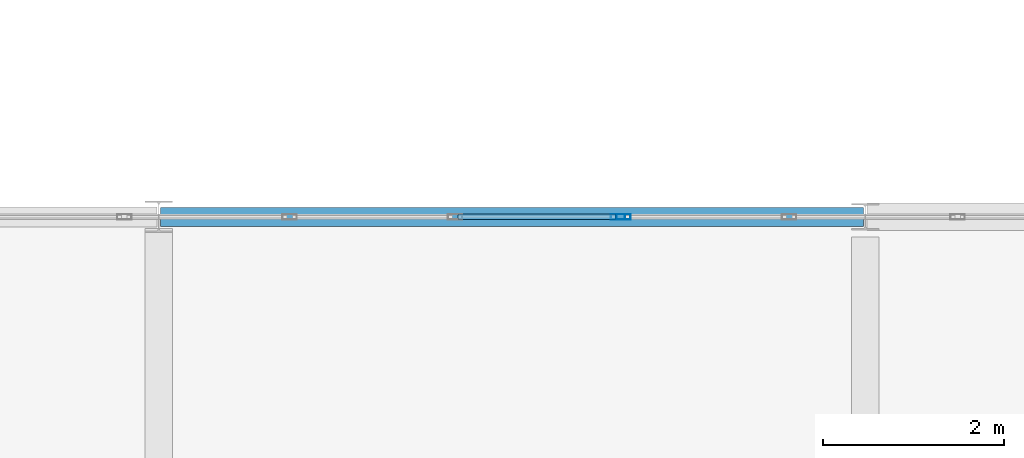
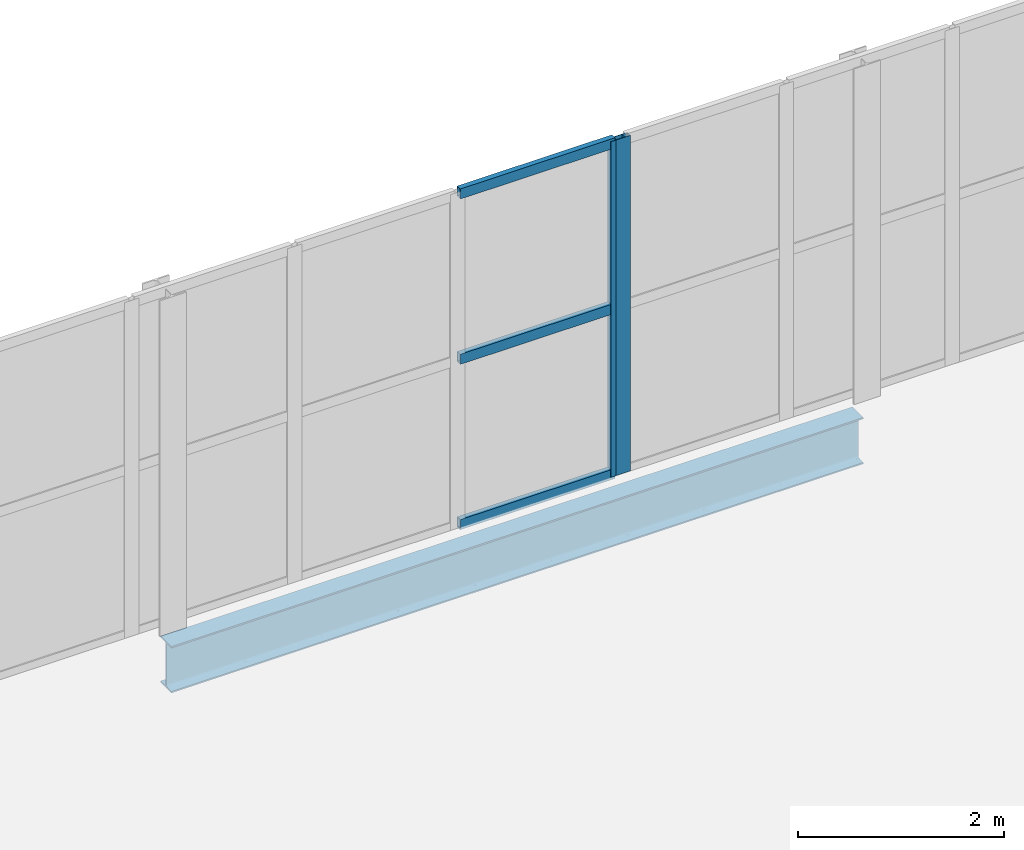
# One storey, part 56 of 138: 5 members, 1 beam, 2 elements without a shape of their own.
"""IFC4 building model written with IfcOpenShell, lengths in metres."""

import ifcopenshell
import ifcopenshell.guid

model = None  # the IFC model being written
_history = None  # IfcOwnerHistory: only IFC2X3 demands one
_inside = {}  # id of a spatial element -> (the spatial element, [elements in it])
_under = {}  # id of a project, library or spatial element -> (it, [spatial elements below it])
_declared = {}  # id of a project -> (the project, [libraries it declares])
_typed = {}  # id of a type object -> (the type object, [elements of that type])
_made_of = {}  # id of a material, layer set ... -> (it, [elements and type objects made of it])


def new_model(schema):
    """Start an empty IFC model of exactly this schema.

    Asked for "IFC4X3", IfcOpenShell would pick the latest addendum, in which some entities
    have other attributes; the version numbers below select the first issue.
    IFC2X3 requires an IfcOwnerHistory on every rooted entity: one is made here for all.
    """
    global model, _history
    if schema == "IFC4X3":
        model = ifcopenshell.file(schema_version=(4, 3, 0, 0))
    else:
        model = ifcopenshell.file(schema=schema)
    _inside.clear()
    _under.clear()
    _declared.clear()
    _typed.clear()
    _made_of.clear()
    _history = None
    if model.schema == "IFC2X3":
        org = make("IfcOrganization", Name="unknown")
        user = make(
            "IfcPersonAndOrganization",
            ThePerson=make("IfcPerson", FamilyName="unknown"),
            TheOrganization=org,
        )
        app = make(
            "IfcApplication",
            ApplicationDeveloper=org,
            Version="unknown",
            ApplicationFullName="unknown",
            ApplicationIdentifier="unknown",
        )
        _history = make(
            "IfcOwnerHistory",
            OwningUser=user,
            OwningApplication=app,
            ChangeAction="ADDED",
            CreationDate=0,
        )
    return model


def make(cls, **values):
    """One entity of the class cls with the attributes given. An attribute that is None is left unset."""
    return model.create_entity(
        cls, **{name: value for name, value in values.items() if value is not None}
    )


def rooted(cls, **values):
    """An entity with a GlobalId (a new one), such as an element, a storey or a relation."""
    return make(cls, GlobalId=ifcopenshell.guid.new(), OwnerHistory=_history, **values)


def si_unit(unit_type, name, prefix=None):
    """IfcSIUnit, for example si_unit("LENGTHUNIT", "METRE", prefix="MILLI")."""
    return make("IfcSIUnit", UnitType=unit_type, Prefix=prefix, Name=name)


def assignment(units):
    """IfcUnitAssignment: the units of a project."""
    return None if units is None else make("IfcUnitAssignment", Units=units)


def point(xyz):
    """IfcCartesianPoint."""
    return None if xyz is None else make("IfcCartesianPoint", Coordinates=xyz)


def direction(xyz):
    """IfcDirection."""
    return None if xyz is None else make("IfcDirection", DirectionRatios=xyz)


def frame(location, z_axis=None, x_axis=None):
    """IfcAxis2Placement3D, a coordinate frame: its origin and axes. An axis left out is left unset."""
    return make(
        "IfcAxis2Placement3D",
        Location=point(location),
        Axis=direction(z_axis),
        RefDirection=direction(x_axis),
    )


def frame_2d(location, x_axis=None):
    """IfcAxis2Placement2D, a coordinate frame in the plane: its origin and x axis."""
    return make(
        "IfcAxis2Placement2D", Location=point(location), RefDirection=direction(x_axis)
    )


def origin():
    """The frame at (0, 0, 0) with its axes left unset."""
    return frame((0.0, 0.0, 0.0))


def origin_2d():
    """The frame at (0, 0) in the plane with its x axis left unset."""
    return frame_2d((0.0, 0.0))


def place(relative_to, where):
    """IfcLocalPlacement: puts the frame where relative to a parent placement (None: the world)."""
    return make(
        "IfcLocalPlacement", PlacementRelTo=relative_to, RelativePlacement=where
    )


def context(
    kind, dimensions, precision=None, world=None, true_north=None, identifier=None
):
    """IfcGeometricRepresentationContext, for example the 3D "Model" context."""
    return make(
        "IfcGeometricRepresentationContext",
        ContextIdentifier=identifier,
        ContextType=kind,
        CoordinateSpaceDimension=dimensions,
        Precision=precision,
        WorldCoordinateSystem=world,
        TrueNorth=true_north,
    )


def subcontext(parent, identifier, kind, view, scale=None):
    """IfcGeometricRepresentationSubContext, for example "Body" below "Model"."""
    return make(
        "IfcGeometricRepresentationSubContext",
        ContextIdentifier=identifier,
        ContextType=kind,
        ParentContext=parent,
        TargetScale=scale,
        TargetView=view,
    )


def project(units=None, contexts=None):
    """IfcProject with its units and contexts."""
    return rooted(
        "IfcProject",
        Name="project",
        RepresentationContexts=contexts,
        UnitsInContext=assignment(units),
    )


def spatial(cls, under=None, at=None, **own):
    """A site, building, storey or space (cls), placed at a placement, below another one or the project."""
    s = rooted(cls, ObjectPlacement=at, **own)
    if under is not None:
        _under.setdefault(under.id(), (under, []))[1].append(s)
    return s


def profile(cls, at=None, kind="AREA", **sizes):
    """A parametric profile (cls). Its sizes go by their IFC names, for example OverallWidth=200.0."""
    return make(cls, ProfileType=kind, Position=at, **sizes)


def hollow_rectangle(**sizes):
    """IfcRectangleHollowProfileDef."""
    return profile("IfcRectangleHollowProfileDef", **sizes)


def i_section(**sizes):
    """IfcIShapeProfileDef."""
    return profile("IfcIShapeProfileDef", **sizes)


def extrude(swept, where, along, depth):
    """IfcExtrudedAreaSolid: the profile swept, set in the frame where, extruded along a direction by depth."""
    return make(
        "IfcExtrudedAreaSolid",
        SweptArea=swept,
        Position=where,
        ExtrudedDirection=direction(along),
        Depth=depth,
    )


def shape(context_of_items, identifier, shape_type, items):
    """IfcShapeRepresentation: the items that make up one representation, for example the "Body"."""
    return make(
        "IfcShapeRepresentation",
        ContextOfItems=context_of_items,
        RepresentationIdentifier=identifier,
        RepresentationType=shape_type,
        Items=items,
    )


def material(Name=None, Category=None):
    """IfcMaterial."""
    return make("IfcMaterial", Name=Name, Category=Category)


def layer(
    of_material, thickness, ventilated=None, Name=None, Category=None, Priority=None
):
    """IfcMaterialLayer: one layer of a wall or slab, of a material (None: an air gap)."""
    return make(
        "IfcMaterialLayer",
        Material=of_material,
        LayerThickness=thickness,
        IsVentilated=ventilated,
        Name=Name,
        Category=Category,
        Priority=Priority,
    )


def layer_set(layers, Name=None):
    """IfcMaterialLayerSet."""
    return make("IfcMaterialLayerSet", MaterialLayers=layers, LayerSetName=Name)


def material_profile(
    of_material, cross_section, Name=None, Category=None, Priority=None
):
    """IfcMaterialProfile: a cross section and its material."""
    return make(
        "IfcMaterialProfile",
        Name=Name,
        Material=of_material,
        Profile=cross_section,
        Priority=Priority,
        Category=Category,
    )


def profile_set(profiles, Name=None, composite=None):
    """IfcMaterialProfileSet."""
    return make(
        "IfcMaterialProfileSet",
        Name=Name,
        MaterialProfiles=profiles,
        CompositeProfile=composite,
    )


def made_of(thing, what):
    """Note that an element or type object is made of a material, layer set ...; save() writes the relation."""
    if what is not None:
        _made_of.setdefault(what.id(), (what, []))[1].append(thing)
    return thing


def type_object(cls, material=None, **own):
    """A type object (cls), such as IfcWallType, which elements share."""
    return made_of(rooted(cls, **own), material)


def element(
    cls,
    number,
    at=None,
    inside=None,
    cuts=None,
    type_object=None,
    material=None,
    context=None,
    identifier="Body",
    shape_type=None,
    held_by="IfcProductDefinitionShape",
    body=None,
    shapes=None,
    **own,
):
    """One element of the class cls, such as IfcWall. Its Tag is "e" and its number.

    at: its placement. inside: the storey or other place that contains it. cuts: it is an
    opening in that element (IfcRelVoidsElement). A single representation is given by context,
    identifier, shape_type and body (its items); several are given by shapes. held_by: the class
    of the entity that holds the representations. save() writes the other relations.
    """
    e = rooted(cls, Tag="e%d" % number, ObjectPlacement=at, **own)
    if body is not None:
        shapes = [shape(context, identifier, shape_type, body)]
    if shapes is not None:
        e.Representation = make(held_by, Representations=shapes)
    if inside is not None:
        _inside.setdefault(inside.id(), (inside, []))[1].append(e)
    if cuts is not None:
        rooted(
            "IfcRelVoidsElement", RelatingBuildingElement=cuts, RelatedOpeningElement=e
        )
    if type_object is not None:
        _typed.setdefault(type_object.id(), (type_object, []))[1].append(e)
    return made_of(e, material)


def aggregate(whole, parts):
    """IfcRelAggregates: a whole, such as a stair, and the parts it consists of."""
    return rooted("IfcRelAggregates", RelatingObject=whole, RelatedObjects=parts)


def save(model, path):
    """Write the relations noted so far, then the file.

    IfcRelAggregates (storeys below a building ...), IfcRelContainedInSpatialStructure (elements
    in a storey), IfcRelDefinesByType, IfcRelAssociatesMaterial and IfcRelDeclares: one each for
    every whole, place, type object, material and project.
    """
    for whole, parts in _under.values():
        aggregate(whole, parts)
    for where, things in _inside.values():
        rooted(
            "IfcRelContainedInSpatialStructure",
            RelatedElements=things,
            RelatingStructure=where,
        )
    for kind, things in _typed.values():
        rooted("IfcRelDefinesByType", RelatedObjects=things, RelatingType=kind)
    for what, things in _made_of.values():
        rooted("IfcRelAssociatesMaterial", RelatedObjects=things, RelatingMaterial=what)
    for by, libraries in _declared.values():
        rooted("IfcRelDeclares", RelatingContext=by, RelatedDefinitions=libraries)
    model.write(path)


model = new_model("IFC4")

# Units and contexts
model_context = context("Model", 3, precision=1e-05, world=origin(), true_north=direction((0.0, 1.0)))
body_context = subcontext(model_context, "Body", "Model", "MODEL_VIEW")
ifc_project = project(units=[si_unit("LENGTHUNIT", "METRE"), si_unit("AREAUNIT", "SQUARE_METRE"), si_unit("VOLUMEUNIT", "CUBIC_METRE"), si_unit("PLANEANGLEUNIT", "RADIAN"), si_unit("MASSUNIT", "GRAM", prefix="KILO")], contexts=[model_context])

# Site, building, storey
site_placement = place(None, origin())
site = spatial("IfcSite", under=ifc_project, at=site_placement, CompositionType="ELEMENT")
building_placement = place(site_placement, origin())
building = spatial("IfcBuilding", under=site, at=building_placement, Name="Vinh Khe Railworks Police Headquarters", CompositionType="ELEMENT")
storey_placement = place(building_placement, frame((0.0, 0.0, 9.0)))
storey = spatial("IfcBuildingStorey", under=building, at=storey_placement, Name="L02", CompositionType="ELEMENT", Elevation=9.0)

# Curtain wall, member
ifc_material_1 = material(Name="Anodised aluminium and solar-control glass", Category="aluminium")
ifc_layer = layer(ifc_material_1, 0.159912109375)
ifc_layer_set = layer_set([ifc_layer], Name="Anodised aluminium and solar-control glass")
curtain_wall_type = type_object("IfcCurtainWallType", Name="CW-SHOPFRONT", PredefinedType="USERDEFINED", material=ifc_layer_set)
curtain_wall_1_placement = place(storey_placement, origin())
curtain_wall_1 = element("IfcCurtainWall", 1, at=curtain_wall_1_placement, inside=storey, type_object=curtain_wall_type, Name="Link Bridge North Glazing L02 Bay 1", ObjectType="UNITISED GLAZING", PredefinedType="USERDEFINED")
ifc_material_2 = material(Name="Anodised aluminium 6063-T6", Category="aluminium")
ifc_material_profile_1 = material_profile(ifc_material_2, hollow_rectangle(XDim=0.06005859375, YDim=0.159912109375, WallThickness=0.00390625, at=origin_2d()), Name="CW-M 60x160x4")
ifc_profile_set_1 = profile_set([ifc_material_profile_1], Name="Anodised aluminium 6063-T6")
member_type_1 = type_object("IfcMemberType", Name="MULL-CWM-01", PredefinedType="MULLION", material=ifc_profile_set_1)
member_1_placement = place(storey_placement, frame((31.469970703125, 104.39990234375, 0.0), z_axis=(0.0, 0.0, 1.0), x_axis=(0.0, 1.0, 0.0)))
member_1 = element("IfcMember", 2, at=member_1_placement, type_object=member_type_1, Name="CW-03 mullion 6", PredefinedType="MULLION", context=body_context, shape_type="SweptSolid", body=[
    extrude(hollow_rectangle(XDim=0.06005859375, YDim=0.159912109375, WallThickness=0.00390625, at=origin_2d()), origin(), (0.0, 0.0, 1.0), 3.97998046875),
])

curtain_wall_2_placement = place(storey_placement, origin())
curtain_wall_2 = element("IfcCurtainWall", 3, at=curtain_wall_2_placement, inside=storey, type_object=curtain_wall_type, Name="Link Bridge North Glazing L02 Bay 2", ObjectType="UNITISED GLAZING", PredefinedType="USERDEFINED")
member_2_placement = place(storey_placement, frame((31.530029296875, 104.39990234375, 0.0), z_axis=(0.0, 0.0, 1.0), x_axis=(0.0, 1.0, 0.0)))
member_2 = element("IfcMember", 4, at=member_2_placement, type_object=member_type_1, Name="CW-03 mullion 1", PredefinedType="MULLION", context=body_context, shape_type="SweptSolid", body=[
    extrude(hollow_rectangle(XDim=0.06005859375, YDim=0.159912109375, WallThickness=0.00390625, at=origin_2d()), origin(), (0.0, 0.0, 1.0), 3.97998046875),
])
aggregate(curtain_wall_2, [member_2])

# Beam
ifc_material_3 = material(Name="Steel S355JR", Category="steel")
ifc_material_profile_2 = material_profile(ifc_material_3, i_section(OverallWidth=0.2099609375, OverallDepth=0.550048828125, WebThickness=0.010986328125, FlangeThickness=0.01708984375, FilletRadius=0.02392578125, at=origin_2d()), Name="IPE 550")
ifc_profile_set_2 = profile_set([ifc_material_profile_2], Name="Steel S355JR")
beam_type = type_object("IfcBeamType", Name="Steel Girder IPE 550", PredefinedType="BEAM", material=ifc_profile_set_2)
beam_placement = place(storey_placement, frame((26.419921875, 104.39990234375, -0.4951171875), z_axis=(1.0, 0.0, 0.0), x_axis=(0.0, 1.0, 0.0)))
element("IfcBeam", 5, at=beam_placement, inside=storey, type_object=beam_type, Name="Girder BM-L02-EW-SB-18-0820", PredefinedType="BEAM", context=body_context, shape_type="SweptSolid", body=[
    extrude(i_section(OverallWidth=0.2099609375, OverallDepth=0.550048828125, WebThickness=0.010986328125, FlangeThickness=0.01708984375, FilletRadius=0.02392578125, at=origin_2d()), origin(), (0.0, 0.0, 1.0), 7.760009765625),
])

# Member
ifc_material_profile_3 = material_profile(ifc_material_2, hollow_rectangle(XDim=0.06005859375, YDim=0.1201171875, WallThickness=0.00390625, at=origin_2d()), Name="CW-T 60x120x4")
ifc_profile_set_3 = profile_set([ifc_material_profile_3], Name="Anodised aluminium 6063-T6")
member_type_2 = type_object("IfcMemberType", Name="TRAN-CWT-01", PredefinedType="USERDEFINED", material=ifc_profile_set_3)
member_3_placement = place(storey_placement, frame((29.702880859375, 104.39990234375, 0.030029296875), z_axis=(1.0, 0.0, 0.0), x_axis=(0.0, 1.0, 0.0)))
member_3 = element("IfcMember", 6, at=member_3_placement, type_object=member_type_2, Name="CW-03 transom 5.1", ObjectType="TRANSOM", PredefinedType="USERDEFINED", context=body_context, shape_type="SweptSolid", body=[
    extrude(hollow_rectangle(XDim=0.06005859375, YDim=0.1201171875, WallThickness=0.00390625, at=origin_2d()), origin(), (0.0, 0.0, 1.0), 1.737060546875),
])

member_4_placement = place(storey_placement, frame((29.702880859375, 104.39990234375, 1.989990234375), z_axis=(1.0, 0.0, 0.0), x_axis=(0.0, 1.0, 0.0)))
member_4 = element("IfcMember", 7, at=member_4_placement, type_object=member_type_2, Name="CW-03 transom 5.2", ObjectType="TRANSOM", PredefinedType="USERDEFINED", context=body_context, shape_type="SweptSolid", body=[
    extrude(hollow_rectangle(XDim=0.06005859375, YDim=0.1201171875, WallThickness=0.00390625, at=origin_2d()), origin(), (0.0, 0.0, 1.0), 1.737060546875),
])

member_5_placement = place(storey_placement, frame((29.702880859375, 104.39990234375, 3.949951171875), z_axis=(1.0, 0.0, 0.0), x_axis=(0.0, 1.0, 0.0)))
member_5 = element("IfcMember", 8, at=member_5_placement, type_object=member_type_2, Name="CW-03 transom 5.3", ObjectType="TRANSOM", PredefinedType="USERDEFINED", context=body_context, shape_type="SweptSolid", body=[
    extrude(hollow_rectangle(XDim=0.06005859375, YDim=0.1201171875, WallThickness=0.00390625, at=origin_2d()), origin(), (0.0, 0.0, 1.0), 1.737060546875),
])

aggregate(curtain_wall_1, [member_1, member_3, member_4, member_5])

save(model, "model.ifc")
